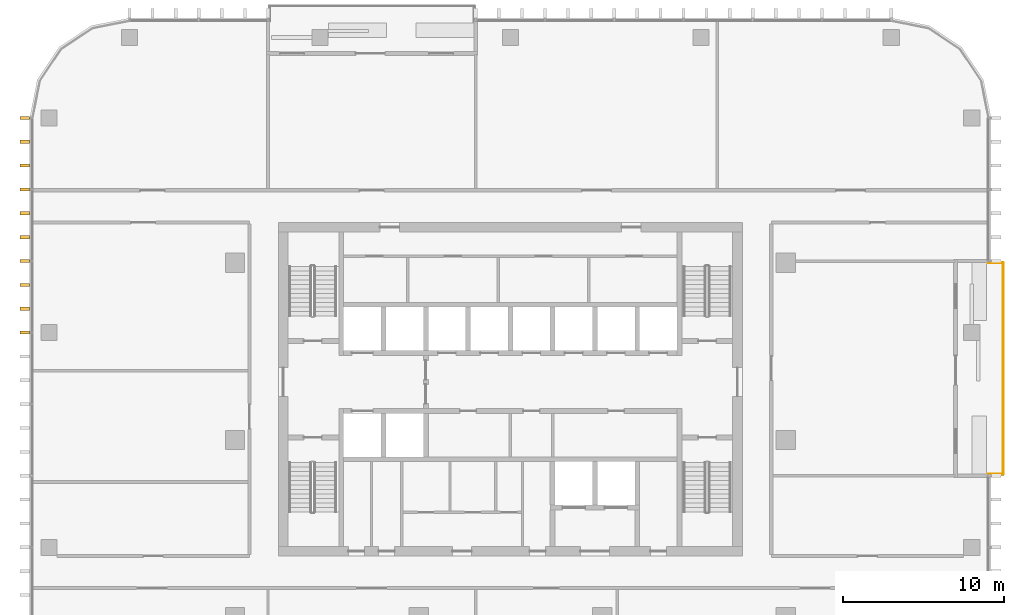
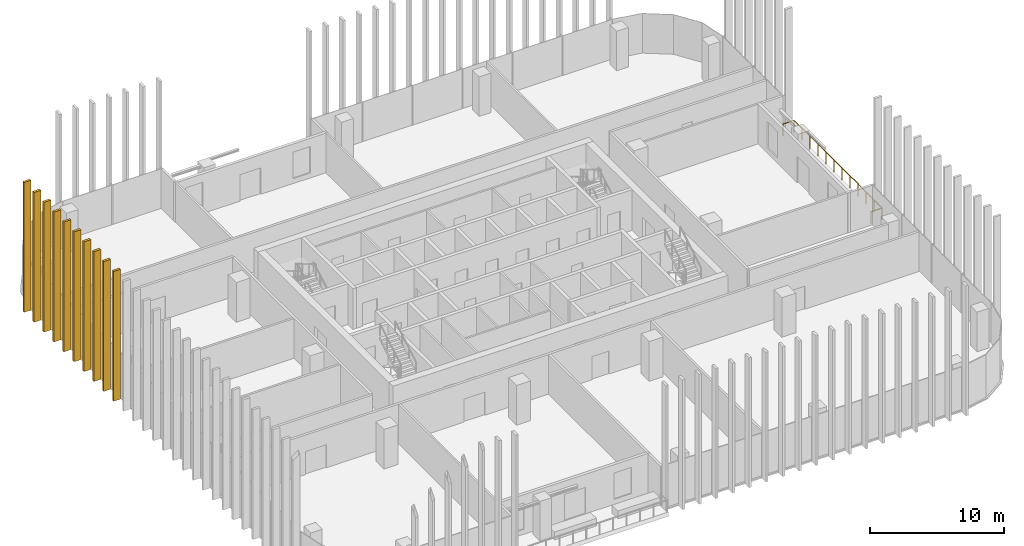
# One storey, part 14 of 16: 10 shading devices, 1 railing.
"""IFC4 building model written with IfcOpenShell, lengths in metres."""

from ifc_helpers import new_model, si_unit, direction, frame, origin, origin_2d, place, context, subcontext, project, spatial, rectangle, circle, extrude, material, type_object, element, save


model = new_model("IFC4")

# Units and contexts
model_context = context("Model", 3, precision=1e-05, world=origin(), true_north=direction((0.0, 1.0)))
body_context = subcontext(model_context, "Body", "Model", "MODEL_VIEW")
ifc_project = project(units=[si_unit("LENGTHUNIT", "METRE"), si_unit("AREAUNIT", "SQUARE_METRE"), si_unit("VOLUMEUNIT", "CUBIC_METRE"), si_unit("PLANEANGLEUNIT", "RADIAN"), si_unit("MASSUNIT", "GRAM", prefix="KILO")], contexts=[model_context])

# Site, building, storey
site_placement = place(None, origin())
site = spatial("IfcSite", under=ifc_project, at=site_placement, CompositionType="ELEMENT")
building_placement = place(site_placement, origin())
building = spatial("IfcBuilding", under=site, at=building_placement, Name="Mopane Tessera Tower", CompositionType="ELEMENT")
storey_placement = place(building_placement, frame((0.0, 0.0, 303.39990234375)))
storey = spatial("IfcBuildingStorey", under=building, at=storey_placement, Name="L66", CompositionType="ELEMENT", Elevation=303.39990234375)

# Shading devices
ifc_material_1 = material(Name="Glazed ceramic tile")
shading_device_type = type_object("IfcShadingDeviceType", Name="Ceramic tile fin 600 x 200 mm", PredefinedType="USERDEFINED", material=ifc_material_1)
for number, where, z_axis, x_axis, name in (
    (1, (-30.14990234375, 20.0, -0.39990234375), (0.0, 0.0, 1.0), (0.0, -1.0, 0.0), "e:fin:L66:W:0:0"),
    (2, (-30.14990234375, 18.5185546875, -0.39990234375), (0.0, 0.0, 1.0), (0.0, -1.0, 0.0), "e:fin:L66:W:0:1"),
    (3, (-30.14990234375, 17.037109375, -0.39990234375), (0.0, 0.0, 1.0), (0.0, -1.0, 0.0), "e:fin:L66:W:0:2"),
    (4, (-30.14990234375, 15.5556640625, -0.39990234375), (0.0, 0.0, 1.0), (0.0, -1.0, 0.0), "e:fin:L66:W:1:0"),
    (5, (-30.14990234375, 14.073974609375, -0.39990234375), (0.0, 0.0, 1.0), (0.0, -1.0, 0.0), "e:fin:L66:W:1:1"),
    (6, (-30.14990234375, 12.592529296875, -0.39990234375), (0.0, 0.0, 1.0), (0.0, -1.0, 0.0), "e:fin:L66:W:1:2"),
    (7, (-30.14990234375, 11.111083984375, -0.39990234375), (0.0, 0.0, 1.0), (0.0, -1.0, 0.0), "e:fin:L66:W:2:0"),
    (8, (-30.14990234375, 9.629638671875, -0.39990234375), (0.0, 0.0, 1.0), (0.0, -1.0, 0.0), "e:fin:L66:W:2:1"),
    (9, (-30.14990234375, 8.148193359375, -0.39990234375), (0.0, 0.0, 1.0), (0.0, -1.0, 0.0), "e:fin:L66:W:2:2"),
    (10, (-30.14990234375, 6.666748046875, -0.39990234375), (0.0, 0.0, 1.0), (0.0, -1.0, 0.0), "e:fin:L66:W:3:0"),
):
    element("IfcShadingDevice", number, at=place(storey_placement, frame(where, z_axis=z_axis, x_axis=x_axis)), inside=storey, type_object=shading_device_type, Name=name, ObjectType="FIN", PredefinedType="USERDEFINED", context=body_context, shape_type="SweptSolid", body=[
        extrude(rectangle(XDim=0.199951171875, YDim=0.60009765625, at=origin_2d()), origin(), (0.0, 0.0, 1.0), 11.800048828125),
    ])

# Railing
ifc_material_2 = material(Name="Stainless steel S316", Category="steel")
railing_type = type_object("IfcRailingType", Name="Terrace guard 1100", PredefinedType="GUARDRAIL", material=ifc_material_2)
railing_placement = place(storey_placement, frame((29.64990234375, -2.122314453125, 0.0)))
element("IfcRailing", 11, at=railing_placement, inside=storey, type_object=railing_type, Name="e:nw:L66:N1:guard", PredefinedType="GUARDRAIL", context=body_context, shape_type="SweptSolid", body=[
    extrude(circle(Radius=0.02392578125, at=origin_2d()), frame((0.0, 0.0, 1.076171875), z_axis=(1.0, 0.0, 0.0), x_axis=(0.0, 1.0, 0.0)), (0.0, 0.0, 1.0), 0.9501953125),
    extrude(circle(Radius=0.02392578125, at=origin_2d()), frame((0.9501953125, 0.0, 1.076171875), z_axis=(0.0, 1.0, 0.0), x_axis=(-1.0, 0.0, 0.0)), (0.0, 0.0, 1.0), 13.133544921875),
    extrude(circle(Radius=0.02392578125, at=origin_2d()), frame((0.9501953125, 13.133544921875, 1.076171875), z_axis=(-1.0, 0.0, 0.0), x_axis=(0.0, -1.0, 0.0)), (0.0, 0.0, 1.0), 0.9501953125),
    extrude(circle(Radius=0.02099609375, at=origin_2d()), origin(), (0.0, 0.0, 1.0), 1.052001953125),
    extrude(circle(Radius=0.02099609375, at=origin_2d()), frame((0.9501953125, 0.0, 0.0)), (0.0, 0.0, 1.0), 1.052001953125),
    extrude(circle(Radius=0.02099609375, at=origin_2d()), frame((0.9501953125, 1.19384765625, 0.0)), (0.0, 0.0, 1.0), 1.052001953125),
    extrude(circle(Radius=0.02099609375, at=origin_2d()), frame((0.9501953125, 2.387939453125, 0.0)), (0.0, 0.0, 1.0), 1.052001953125),
    extrude(circle(Radius=0.02099609375, at=origin_2d()), frame((0.9501953125, 3.581787109375, 0.0)), (0.0, 0.0, 1.0), 1.052001953125),
    extrude(circle(Radius=0.02099609375, at=origin_2d()), frame((0.9501953125, 4.77587890625, 0.0)), (0.0, 0.0, 1.0), 1.052001953125),
    extrude(circle(Radius=0.02099609375, at=origin_2d()), frame((0.9501953125, 5.9697265625, 0.0)), (0.0, 0.0, 1.0), 1.052001953125),
    extrude(circle(Radius=0.02099609375, at=origin_2d()), frame((0.9501953125, 7.163818359375, 0.0)), (0.0, 0.0, 1.0), 1.052001953125),
    extrude(circle(Radius=0.02099609375, at=origin_2d()), frame((0.9501953125, 8.357666015625, 0.0)), (0.0, 0.0, 1.0), 1.052001953125),
    extrude(circle(Radius=0.02099609375, at=origin_2d()), frame((0.9501953125, 9.5517578125, 0.0)), (0.0, 0.0, 1.0), 1.052001953125),
    extrude(circle(Radius=0.02099609375, at=origin_2d()), frame((0.9501953125, 10.74560546875, 0.0)), (0.0, 0.0, 1.0), 1.052001953125),
    extrude(circle(Radius=0.02099609375, at=origin_2d()), frame((0.9501953125, 11.939697265625, 0.0)), (0.0, 0.0, 1.0), 1.052001953125),
    extrude(circle(Radius=0.02099609375, at=origin_2d()), frame((0.9501953125, 13.133544921875, 0.0)), (0.0, 0.0, 1.0), 1.052001953125),
    extrude(circle(Radius=0.02099609375, at=origin_2d()), frame((0.0, 13.133544921875, 0.0)), (0.0, 0.0, 1.0), 1.052001953125),
])

save(model, "model.ifc")
